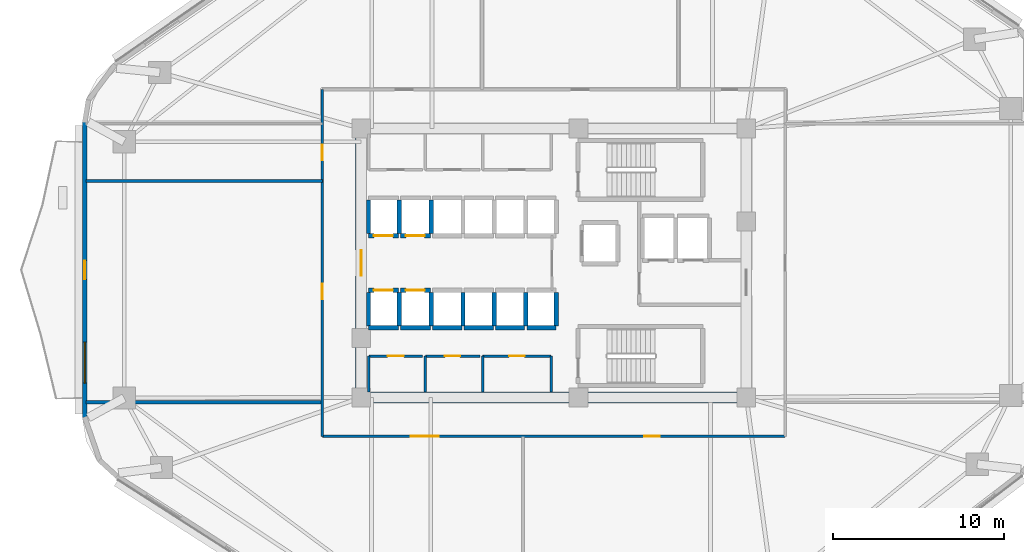
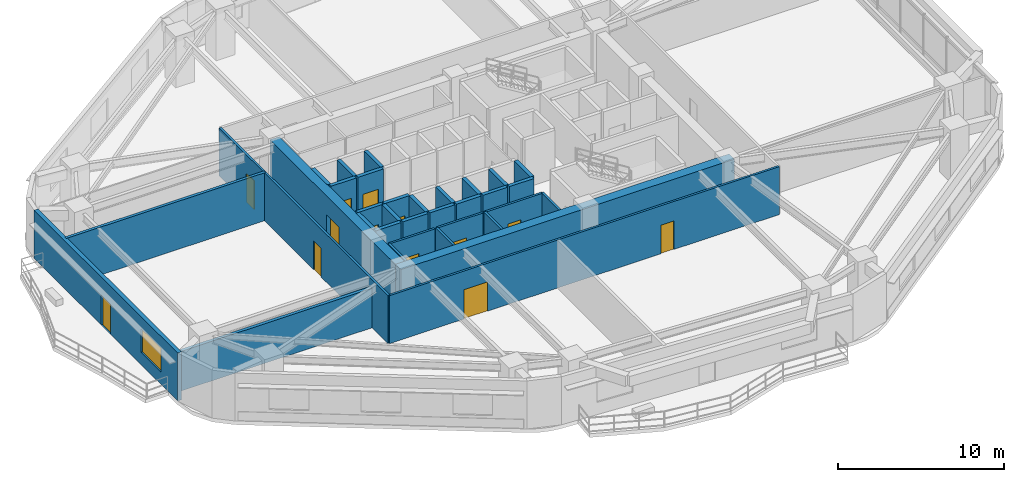
# One storey, part 8 of 14: 34 walls, 13 doors, 1 window, 14 openings.
"""IFC4 building model written with IfcOpenShell, lengths in metres."""

from ifc_helpers import new_model, si_unit, direction, frame, frame_2d, origin, place, context, subcontext, project, spatial, rectangle, extrude, material, layer, layer_set, type_object, element, fill, save


model = new_model("IFC4")

# Units and contexts
model_context = context("Model", 3, precision=1e-05, world=origin(), true_north=direction((0.0, 1.0)))
body_context = subcontext(model_context, "Body", "Model", "MODEL_VIEW")
ifc_project = project(units=[si_unit("LENGTHUNIT", "METRE"), si_unit("AREAUNIT", "SQUARE_METRE"), si_unit("VOLUMEUNIT", "CUBIC_METRE"), si_unit("PLANEANGLEUNIT", "RADIAN"), si_unit("MASSUNIT", "GRAM", prefix="KILO")], contexts=[model_context])

# Site, building, storey
site_placement = place(None, origin())
site = spatial("IfcSite", under=ifc_project, at=site_placement, CompositionType="ELEMENT")
building_placement = place(site_placement, origin())
building = spatial("IfcBuilding", under=site, at=building_placement, Name="Zulverin Broadcast Headquarters", CompositionType="ELEMENT")
storey_placement = place(building_placement, frame((0.0, 0.0, 40.199951171875)))
storey = spatial("IfcBuildingStorey", under=building, at=storey_placement, Name="L09", CompositionType="ELEMENT", Elevation=40.199951171875)

# Walls
ifc_material_1 = material(Name="Acoustic drywall steel stud", Category="steel")
ifc_layer_1 = layer(ifc_material_1, 0.199951171875, Name="Acoustic drywall steel stud", Category="steel")
ifc_layer_set_1 = layer_set([ifc_layer_1], Name="Acoustic drywall steel stud")
wall_type_1 = type_object("IfcWallType", Name="WL-ACOU-200", PredefinedType="PARTITIONING", material=ifc_layer_set_1)
wall_1_placement = place(storey_placement, frame((9.60498046875, 30.0, 0.0), z_axis=(0.0, 0.0, 1.0), x_axis=(1.0, 0.0, 0.0)))
element("IfcWall", 1, at=wall_1_placement, inside=storey, type_object=wall_type_1, Name="L09 Room Partition Wall RP-09", PredefinedType="PARTITIONING", context=body_context, shape_type="SweptSolid", body=[
    extrude(rectangle(XDim=13.844970703125, YDim=0.199951171875, at=frame_2d((6.92236328125, 0.0))), origin(), (0.0, 0.0, 1.0), 3.525146484375),
])
ifc_material_2 = material(Name="Double-stud acoustic drywall", Category="gypsum")
ifc_layer_2 = layer(ifc_material_2, 0.219970703125, Name="Double-stud acoustic drywall", Category="gypsum")
ifc_layer_set_2 = layer_set([ifc_layer_2], Name="Double-stud acoustic drywall")
wall_type_2 = type_object("IfcWallType", Name="WL-ACOU-220", PredefinedType="PARTITIONING", material=ifc_layer_set_2)
wall_2_placement = place(storey_placement, frame((9.60498046875, 17.050048828125, 0.0), z_axis=(0.0, 0.0, 1.0), x_axis=(1.0, 0.0, 0.0)))
element("IfcWall", 2, at=wall_2_placement, inside=storey, type_object=wall_type_2, Name="L09 Room Partition Wall RP-07", PredefinedType="PARTITIONING", context=body_context, shape_type="SweptSolid", body=[
    extrude(rectangle(XDim=13.844970703125, YDim=0.219970703125, at=frame_2d((6.92236328125, 0.0))), origin(), (0.0, 0.0, 1.0), 2.907958984375),
])
ifc_material_3 = material(Name="Concrete C60/75", Category="concrete")
ifc_layer_3 = layer(ifc_material_3, 0.64990234375, Name="Concrete C60/75", Category="concrete")
ifc_layer_set_3 = layer_set([ifc_layer_3], Name="Concrete C60/75")
wall_type_3 = type_object("IfcWallType", Name="WL-CORE-650", PredefinedType="SHEAR", material=ifc_layer_set_3)
wall_3_placement = place(storey_placement, frame((25.39990234375, 17.324951171875, 0.0), z_axis=(0.0, 0.0, 1.0), x_axis=(1.0, 0.0, 0.0)))
element("IfcWall", 3, at=wall_3_placement, inside=storey, type_object=wall_type_3, Name="L09 Core South Shear Wall", PredefinedType="SHEAR", context=body_context, shape_type="SweptSolid", body=[
    extrude(rectangle(XDim=23.2001953125, YDim=0.64990234375, at=frame_2d((11.60009765625, 0.0))), origin(), (0.0, 0.0, 1.0), 3.525146484375),
])

# Wall, opening, door
wall_4_placement = place(storey_placement, frame((25.72509765625, 17.64990234375, 0.0), z_axis=(0.0, 0.0, 1.0), x_axis=(0.0, 1.0, 0.0)))
wall_4 = element("IfcWall", 4, at=wall_4_placement, inside=storey, type_object=wall_type_3, Name="L09 Core West Shear Wall", PredefinedType="SHEAR", context=body_context, shape_type="SweptSolid", body=[
    extrude(rectangle(XDim=15.10009765625, YDim=0.64990234375, at=frame_2d((7.550048828125, 0.0))), origin(), (0.0, 0.0, 1.0), 3.525146484375),
])
opening_1_placement = place(wall_4_placement, frame((6.800048828125, 0.0, 0.0)))
opening_1 = element("IfcOpeningElement", 5, at=opening_1_placement, cuts=wall_4, Name="Opening D-L09-CW1", PredefinedType="OPENING", context=body_context, shape_type="SweptSolid", body=[
    extrude(rectangle(XDim=1.5, YDim=2.14990234375, at=frame_2d((0.75, 1.074951171875))), frame((0.0, 0.3349609375, 0.0), z_axis=(0.0, -1.0, 0.0), x_axis=(1.0, 0.0, 0.0)), (0.0, 0.0, 1.0), 0.669921875),
])
ifc_material_4 = material(Name="Fire-rated glazed steel frame", Category="steel")
door_type_1 = type_object("IfcDoorType", Name="DR-COR-1500", OperationType="DOUBLE_DOOR_SINGLE_SWING", PredefinedType="DOOR", material=ifc_material_4)
door_1_placement = place(opening_1_placement, origin())
door_1 = element("IfcDoor", 6, at=door_1_placement, inside=storey, type_object=door_type_1, Name="L09 Central Lift Lobby West Portal Door", OperationType="DOUBLE_DOOR_SINGLE_SWING", OverallHeight=2.14990234375, OverallWidth=1.5, PredefinedType="DOOR", context=body_context, shape_type="SweptSolid", body=[
    extrude(rectangle(XDim=1.5, YDim=2.14990234375, at=frame_2d((0.75, 1.074951171875))), frame((0.0, 0.02490234375, 0.0), z_axis=(0.0, -1.0, 0.0), x_axis=(1.0, 0.0, 0.0)), (0.0, 0.0, 1.0), 0.050048828125),
])
fill(opening_1, door_1)

# Wall, openings, door, window
ifc_material_5 = material(Name="Insulated pale-metal clad concrete spandrel C40/50", Category="concrete")
ifc_layer_4 = layer(ifc_material_5, 0.280029296875, Name="Insulated pale-metal clad concrete spandrel C40/50", Category="concrete")
ifc_layer_set_4 = layer_set([ifc_layer_4], Name="Insulated pale-metal clad concrete spandrel C40/50")
wall_type_4 = type_object("IfcWallType", Name="WL-EXT-280", PredefinedType="STANDARD", material=ifc_layer_set_4)
wall_5_placement = place(storey_placement, frame((9.5400390625, 33.4443359375, 0.0), z_axis=(0.0, 0.0, 1.0), x_axis=(0.0, -1.0, 0.0)))
wall_5 = element("IfcWall", 7, at=wall_5_placement, inside=storey, type_object=wall_type_4, Name="L09 Pale-Metal Clad Spandrel Wall 7", PredefinedType="STANDARD", context=body_context, shape_type="SweptSolid", body=[
    extrude(rectangle(XDim=17.30078125, YDim=0.280029296875, at=frame_2d((8.650390625, 0.0))), origin(), (0.0, 0.0, 1.0), 3.525146484375),
])
opening_2_placement = place(wall_5_placement, frame((8.100341796875, 0.0, 0.0)))
opening_2 = element("IfcOpeningElement", 8, at=opening_2_placement, cuts=wall_5, Name="Opening D-L09-TR7", PredefinedType="OPENING", context=body_context, shape_type="SweptSolid", body=[
    extrude(rectangle(XDim=1.10009765625, YDim=2.199951171875, at=frame_2d((0.550048828125, 1.10009765625))), frame((0.0, 0.14990234375, 0.0), z_axis=(0.0, -1.0, 0.0), x_axis=(1.0, 0.0, 0.0)), (0.0, 0.0, 1.0), 0.300048828125),
])
opening_3_placement = place(wall_5_placement, frame((12.884033203125, 0.0, 0.89990234375)))
opening_3 = element("IfcOpeningElement", 9, at=opening_3_placement, cuts=wall_5, Name="Opening W-L09-E71", PredefinedType="OPENING", context=body_context, shape_type="SweptSolid", body=[
    extrude(rectangle(XDim=2.39990234375, YDim=1.75, at=frame_2d((1.199951171875, 0.875))), frame((0.0, 0.14990234375, 0.0), z_axis=(0.0, -1.0, 0.0), x_axis=(1.0, 0.0, 0.0)), (0.0, 0.0, 1.0), 0.300048828125),
])
ifc_material_6 = material(Name="Thermally broken aluminium glazed", Category="aluminium")
door_type_2 = type_object("IfcDoorType", Name="DR-TERR-1100", OperationType="SINGLE_SWING_RIGHT", PredefinedType="DOOR", material=ifc_material_6)
door_2_placement = place(opening_2_placement, origin())
door_2 = element("IfcDoor", 10, at=door_2_placement, inside=storey, type_object=door_type_2, Name="L09 Planted Terrace Glazed Access Door 7", OperationType="SINGLE_SWING_RIGHT", OverallHeight=2.199951171875, OverallWidth=1.10009765625, PredefinedType="DOOR", context=body_context, shape_type="SweptSolid", body=[
    extrude(rectangle(XDim=1.10009765625, YDim=2.199951171875, at=frame_2d((0.550048828125, 1.10009765625))), frame((0.0, 0.02490234375, 0.0), z_axis=(0.0, -1.0, 0.0), x_axis=(1.0, 0.0, 0.0)), (0.0, 0.0, 1.0), 0.050048828125),
])
fill(opening_2, door_2)
ifc_material_7 = material(Name="Pale anodized aluminium frame with solar-control low-E double glazing", Category="aluminium")
window_type = type_object("IfcWindowType", Name="WIN-RIB-2400", PartitioningType="SINGLE_PANEL", PredefinedType="WINDOW", material=ifc_material_7)
window_placement = place(opening_3_placement, origin())
window = element("IfcWindow", 11, at=window_placement, inside=storey, type_object=window_type, Name="L09 Ribbon Glazing Window 7 1", OverallHeight=1.75, OverallWidth=2.39990234375, PartitioningType="SINGLE_PANEL", PredefinedType="WINDOW", context=body_context, shape_type="SweptSolid", body=[
    extrude(rectangle(XDim=2.39990234375, YDim=1.75, at=frame_2d((1.199951171875, 0.875))), frame((0.0, 0.030029296875, 0.0), z_axis=(0.0, -1.0, 0.0), x_axis=(1.0, 0.0, 0.0)), (0.0, 0.0, 1.0), 0.06005859375),
])
fill(opening_3, window)

# Wall, opening, door
ifc_material_8 = material(Name="Fire-rated gypsum stud partition", Category="gypsum")
ifc_layer_5 = layer(ifc_material_8, 0.14990234375, Name="Fire-rated gypsum stud partition", Category="gypsum")
ifc_layer_set_5 = layer_set([ifc_layer_5], Name="Fire-rated gypsum stud partition")
wall_type_5 = type_object("IfcWallType", Name="WL-PART-150", PredefinedType="PARTITIONING", material=ifc_layer_set_5)
wall_6_placement = place(storey_placement, frame((26.169921875, 19.75, 0.0), z_axis=(0.0, 0.0, 1.0), x_axis=(1.0, 0.0, 0.0)))
wall_6 = element("IfcWall", 12, at=wall_6_placement, inside=storey, type_object=wall_type_5, Name="L09 Core Female WC Front Wall", PredefinedType="PARTITIONING", context=body_context, shape_type="SweptSolid", body=[
    extrude(rectangle(XDim=3.150146484375, YDim=0.14990234375, at=frame_2d((1.5751953125, 0.0))), origin(), (0.0, 0.0, 1.0), 3.525146484375),
])
opening_4_placement = place(wall_6_placement, frame((1.10009765625, 0.0, 0.0)))
opening_4 = element("IfcOpeningElement", 13, at=opening_4_placement, cuts=wall_6, Name="Opening D-L09-SC1", PredefinedType="OPENING", context=body_context, shape_type="SweptSolid", body=[
    extrude(rectangle(XDim=0.949951171875, YDim=2.10009765625, at=frame_2d((0.47509765625, 1.050048828125))), frame((0.0, 0.0849609375, 0.0), z_axis=(0.0, -1.0, 0.0), x_axis=(1.0, 0.0, 0.0)), (0.0, 0.0, 1.0), 0.169921875),
])
ifc_material_9 = material(Name="Fire-rated moisture-resistant laminate leaf", Category="wood")
door_type_3 = type_object("IfcDoorType", Name="DR-WC-950", OperationType="SINGLE_SWING_LEFT", PredefinedType="DOOR", material=ifc_material_9)
door_3_placement = place(opening_4_placement, origin())
door_3 = element("IfcDoor", 14, at=door_3_placement, inside=storey, type_object=door_type_3, Name="L09 Female WC Door", OperationType="SINGLE_SWING_RIGHT", OverallHeight=2.10009765625, OverallWidth=0.949951171875, PredefinedType="DOOR", context=body_context, shape_type="SweptSolid", body=[
    extrude(rectangle(XDim=0.949951171875, YDim=2.10009765625, at=frame_2d((0.47509765625, 1.050048828125))), frame((0.0, 0.02490234375, 0.0), z_axis=(0.0, -1.0, 0.0), x_axis=(1.0, 0.0, 0.0)), (0.0, 0.0, 1.0), 0.050048828125),
])
fill(opening_4, door_3)

# Wall
wall_7_placement = place(storey_placement, frame((26.169921875, 17.64990234375, 0.0), z_axis=(0.0, 0.0, 1.0), x_axis=(0.0, 1.0, 0.0)))
element("IfcWall", 15, at=wall_7_placement, inside=storey, type_object=wall_type_5, Name="L09 Core Female WC West Wall", PredefinedType="PARTITIONING", context=body_context, shape_type="SweptSolid", body=[
    extrude(rectangle(XDim=2.10009765625, YDim=0.14990234375, at=frame_2d((1.050048828125, 0.0))), origin(), (0.0, 0.0, 1.0), 3.525146484375),
])

# Wall, opening, door
wall_8_placement = place(storey_placement, frame((29.47998046875, 19.75, 0.0), z_axis=(0.0, 0.0, 1.0), x_axis=(1.0, 0.0, 0.0)))
wall_8 = element("IfcWall", 16, at=wall_8_placement, inside=storey, type_object=wall_type_5, Name="L09 Core Cleaner Store Front Wall", PredefinedType="PARTITIONING", context=body_context, shape_type="SweptSolid", body=[
    extrude(rectangle(XDim=3.18994140625, YDim=0.14990234375, at=frame_2d((1.594970703125, 0.0))), origin(), (0.0, 0.0, 1.0), 3.525146484375),
])
opening_5_placement = place(wall_8_placement, frame((1.14501953125, 0.0, 0.0)))
opening_5 = element("IfcOpeningElement", 17, at=opening_5_placement, cuts=wall_8, Name="Opening D-L09-SC2", PredefinedType="OPENING", context=body_context, shape_type="SweptSolid", body=[
    extrude(rectangle(XDim=0.89990234375, YDim=2.10009765625, at=frame_2d((0.449951171875, 1.050048828125))), frame((0.0, 0.0849609375, 0.0), z_axis=(0.0, -1.0, 0.0), x_axis=(1.0, 0.0, 0.0)), (0.0, 0.0, 1.0), 0.169921875),
])
ifc_material_10 = material(Name="Powder-coated steel access leaf", Category="steel")
door_type_4 = type_object("IfcDoorType", Name="DR-RISER-900", OperationType="SINGLE_SWING_LEFT", PredefinedType="DOOR", material=ifc_material_10)
door_4_placement = place(opening_5_placement, origin())
door_4 = element("IfcDoor", 18, at=door_4_placement, inside=storey, type_object=door_type_4, Name="L09 Cleaner Store Door", OperationType="SINGLE_SWING_LEFT", OverallHeight=2.10009765625, OverallWidth=0.89990234375, PredefinedType="DOOR", context=body_context, shape_type="SweptSolid", body=[
    extrude(rectangle(XDim=0.89990234375, YDim=2.10009765625, at=frame_2d((0.449951171875, 1.050048828125))), frame((0.0, 0.02490234375, 0.0), z_axis=(0.0, -1.0, 0.0), x_axis=(1.0, 0.0, 0.0)), (0.0, 0.0, 1.0), 0.050048828125),
])
fill(opening_5, door_4)

# Wall
wall_9_placement = place(storey_placement, frame((29.47998046875, 17.64990234375, 0.0), z_axis=(0.0, 0.0, 1.0), x_axis=(0.0, 1.0, 0.0)))
element("IfcWall", 19, at=wall_9_placement, inside=storey, type_object=wall_type_5, Name="L09 Core Cleaner Store West Wall", PredefinedType="PARTITIONING", context=body_context, shape_type="SweptSolid", body=[
    extrude(rectangle(XDim=2.10009765625, YDim=0.14990234375, at=frame_2d((1.050048828125, 0.0))), origin(), (0.0, 0.0, 1.0), 3.525146484375),
])

# Wall, opening, door
wall_10_placement = place(storey_placement, frame((32.830078125, 19.75, 0.0), z_axis=(0.0, 0.0, 1.0), x_axis=(1.0, 0.0, 0.0)))
wall_10 = element("IfcWall", 20, at=wall_10_placement, inside=storey, type_object=wall_type_5, Name="L09 Core Broadcast Fibre Riser Front Wall", PredefinedType="PARTITIONING", context=body_context, shape_type="SweptSolid", body=[
    extrude(rectangle(XDim=4.02001953125, YDim=0.14990234375, at=frame_2d((2.010009765625, 0.0))), origin(), (0.0, 0.0, 1.0), 3.525146484375),
])
opening_6_placement = place(wall_10_placement, frame((1.56005859375, 0.0, 0.0)))
opening_6 = element("IfcOpeningElement", 21, at=opening_6_placement, cuts=wall_10, Name="Opening D-L09-SC3", PredefinedType="OPENING", context=body_context, shape_type="SweptSolid", body=[
    extrude(rectangle(XDim=0.89990234375, YDim=2.10009765625, at=frame_2d((0.449951171875, 1.050048828125))), frame((0.0, 0.0849609375, 0.0), z_axis=(0.0, -1.0, 0.0), x_axis=(1.0, 0.0, 0.0)), (0.0, 0.0, 1.0), 0.169921875),
])
door_5_placement = place(opening_6_placement, origin())
door_5 = element("IfcDoor", 22, at=door_5_placement, inside=storey, type_object=door_type_4, Name="L09 Broadcast Fibre Riser Door", OperationType="SINGLE_SWING_RIGHT", OverallHeight=2.10009765625, OverallWidth=0.89990234375, PredefinedType="DOOR", context=body_context, shape_type="SweptSolid", body=[
    extrude(rectangle(XDim=0.89990234375, YDim=2.10009765625, at=frame_2d((0.449951171875, 1.050048828125))), frame((0.0, 0.02490234375, 0.0), z_axis=(0.0, -1.0, 0.0), x_axis=(1.0, 0.0, 0.0)), (0.0, 0.0, 1.0), 0.050048828125),
])
fill(opening_6, door_5)

# Walls
for number, where, z_axis, x_axis, name in (
    (23, (32.830078125, 17.64990234375, 0.0), (0.0, 0.0, 1.0), (0.0, 1.0, 0.0), "L09 Core Broadcast Fibre Riser West Wall"),
    (24, (36.85009765625, 17.64990234375, 0.0), (0.0, 0.0, 1.0), (0.0, 1.0, 0.0), "L09 Core Broadcast Fibre Riser East Wall"),
):
    element("IfcWall", number, at=place(storey_placement, frame(where, z_axis=z_axis, x_axis=x_axis)), inside=storey, type_object=wall_type_5, Name=name, PredefinedType="PARTITIONING", context=body_context, shape_type="SweptSolid", body=[
        extrude(rectangle(XDim=2.10009765625, YDim=0.14990234375, at=frame_2d((1.050048828125, 0.0))), origin(), (0.0, 0.0, 1.0), 3.525146484375),
    ])

# Wall, openings, doors
wall_11_placement = place(storey_placement, frame((23.449951171875, 15.050048828125, 0.0), z_axis=(0.0, 0.0, 1.0), x_axis=(0.0, 1.0, 0.0)))
wall_11 = element("IfcWall", 25, at=wall_11_placement, inside=storey, type_object=wall_type_5, Name="L09 Gallery Partition Wall CG-05", PredefinedType="PARTITIONING", context=body_context, shape_type="SweptSolid", body=[
    extrude(rectangle(XDim=20.300048828125, YDim=0.14990234375, at=frame_2d((10.14990234375, 0.0))), origin(), (0.0, 0.0, 1.0), 3.525146484375),
])
opening_7_placement = place(wall_11_placement, frame((8.02490234375, 0.0, 0.0)))
opening_7 = element("IfcOpeningElement", 26, at=opening_7_placement, cuts=wall_11, Name="Opening D-L09-06", PredefinedType="OPENING", context=body_context, shape_type="SweptSolid", body=[
    extrude(rectangle(XDim=0.89990234375, YDim=2.10009765625, at=frame_2d((0.449951171875, 1.050048828125))), frame((0.0, 0.0849609375, 0.0), z_axis=(0.0, -1.0, 0.0), x_axis=(1.0, 0.0, 0.0)), (0.0, 0.0, 1.0), 0.169921875),
])
opening_8_placement = place(wall_11_placement, frame((16.175048828125, 0.0, 0.0)))
opening_8 = element("IfcOpeningElement", 27, at=opening_8_placement, cuts=wall_11, Name="Opening D-L09-07", PredefinedType="OPENING", context=body_context, shape_type="SweptSolid", body=[
    extrude(rectangle(XDim=0.89990234375, YDim=2.10009765625, at=frame_2d((0.449951171875, 1.050048828125))), frame((0.0, 0.0849609375, 0.0), z_axis=(0.0, -1.0, 0.0), x_axis=(1.0, 0.0, 0.0)), (0.0, 0.0, 1.0), 0.169921875),
])
ifc_material_11 = material(Name="Fire-rated hardwood veneer timber leaf", Category="wood")
door_type_5 = type_object("IfcDoorType", Name="DR-ROOM-900", OperationType="SINGLE_SWING_RIGHT", PredefinedType="DOOR", material=ifc_material_11)
door_6_placement = place(opening_7_placement, origin())
door_6 = element("IfcDoor", 28, at=door_6_placement, inside=storey, type_object=door_type_5, Name="L09 Evening Bistro Door", OperationType="SINGLE_SWING_LEFT", OverallHeight=2.10009765625, OverallWidth=0.89990234375, PredefinedType="DOOR", context=body_context, shape_type="SweptSolid", body=[
    extrude(rectangle(XDim=0.89990234375, YDim=2.10009765625, at=frame_2d((0.449951171875, 1.050048828125))), frame((0.0, 0.02490234375, 0.0), z_axis=(0.0, -1.0, 0.0), x_axis=(1.0, 0.0, 0.0)), (0.0, 0.0, 1.0), 0.050048828125),
])
fill(opening_7, door_6)
door_7_placement = place(opening_8_placement, origin())
door_7 = element("IfcDoor", 29, at=door_7_placement, inside=storey, type_object=door_type_5, Name="L09 Catering Pantry Door", OperationType="SINGLE_SWING_RIGHT", OverallHeight=2.10009765625, OverallWidth=0.89990234375, PredefinedType="DOOR", context=body_context, shape_type="SweptSolid", body=[
    extrude(rectangle(XDim=0.89990234375, YDim=2.10009765625, at=frame_2d((0.449951171875, 1.050048828125))), frame((0.0, 0.02490234375, 0.0), z_axis=(0.0, -1.0, 0.0), x_axis=(1.0, 0.0, 0.0)), (0.0, 0.0, 1.0), 0.050048828125),
])
fill(opening_8, door_7)

wall_12_placement = place(storey_placement, frame((23.449951171875, 15.050048828125, 0.0), z_axis=(0.0, 0.0, 1.0), x_axis=(1.0, 0.0, 0.0)))
wall_12 = element("IfcWall", 30, at=wall_12_placement, inside=storey, type_object=wall_type_5, Name="L09 Gallery Partition Wall CG-06", PredefinedType="PARTITIONING", context=body_context, shape_type="SweptSolid", body=[
    extrude(rectangle(XDim=27.10009765625, YDim=0.14990234375, at=frame_2d((13.550048828125, 0.0))), origin(), (0.0, 0.0, 1.0), 3.525146484375),
])
opening_9_placement = place(wall_12_placement, frame((5.169921875, 0.0, 0.0)))
opening_9 = element("IfcOpeningElement", 31, at=opening_9_placement, cuts=wall_12, Name="Opening D-L09-04", PredefinedType="OPENING", context=body_context, shape_type="SweptSolid", body=[
    extrude(rectangle(XDim=1.64990234375, YDim=2.14990234375, at=frame_2d((0.824951171875, 1.074951171875))), frame((0.0, 0.0849609375, 0.0), z_axis=(0.0, -1.0, 0.0), x_axis=(1.0, 0.0, 0.0)), (0.0, 0.0, 1.0), 0.169921875),
])
opening_10_placement = place(wall_12_placement, frame((18.85498046875, 0.0, 0.0)))
opening_10 = element("IfcOpeningElement", 32, at=opening_10_placement, cuts=wall_12, Name="Opening D-L09-05", PredefinedType="OPENING", context=body_context, shape_type="SweptSolid", body=[
    extrude(rectangle(XDim=0.89990234375, YDim=2.10009765625, at=frame_2d((0.449951171875, 1.050048828125))), frame((0.0, 0.0849609375, 0.0), z_axis=(0.0, -1.0, 0.0), x_axis=(1.0, 0.0, 0.0)), (0.0, 0.0, 1.0), 0.169921875),
])
ifc_material_12 = material(Name="Fire-rated acoustic double leaf", Category="steel")
door_type_6 = type_object("IfcDoorType", Name="DR-AUD-1650", OperationType="DOUBLE_DOOR_SINGLE_SWING", PredefinedType="DOOR", material=ifc_material_12)
door_8_placement = place(opening_9_placement, origin())
door_8 = element("IfcDoor", 33, at=door_8_placement, inside=storey, type_object=door_type_6, Name="L09 Staff Dining Hall Door", OperationType="DOUBLE_DOOR_SINGLE_SWING", OverallHeight=2.14990234375, OverallWidth=1.64990234375, PredefinedType="DOOR", context=body_context, shape_type="SweptSolid", body=[
    extrude(rectangle(XDim=1.64990234375, YDim=2.14990234375, at=frame_2d((0.824951171875, 1.074951171875))), frame((0.0, 0.02490234375, 0.0), z_axis=(0.0, -1.0, 0.0), x_axis=(1.0, 0.0, 0.0)), (0.0, 0.0, 1.0), 0.050048828125),
])
fill(opening_9, door_8)
door_9_placement = place(opening_10_placement, origin())
door_9 = element("IfcDoor", 34, at=door_9_placement, inside=storey, type_object=door_type_5, Name="L09 Express Cafe Door", OperationType="SINGLE_SWING_RIGHT", OverallHeight=2.10009765625, OverallWidth=0.89990234375, PredefinedType="DOOR", context=body_context, shape_type="SweptSolid", body=[
    extrude(rectangle(XDim=0.89990234375, YDim=2.10009765625, at=frame_2d((0.449951171875, 1.050048828125))), frame((0.0, 0.02490234375, 0.0), z_axis=(0.0, -1.0, 0.0), x_axis=(1.0, 0.0, 0.0)), (0.0, 0.0, 1.0), 0.050048828125),
])
fill(opening_10, door_9)

# Wall, opening, door
ifc_material_13 = material(Name="Concrete C50/60", Category="concrete")
ifc_layer_6 = layer(ifc_material_13, 0.25, Name="Concrete C50/60", Category="concrete")
ifc_layer_set_6 = layer_set([ifc_layer_6], Name="Concrete C50/60")
wall_type_6 = type_object("IfcWallType", Name="WL-SHAFT-250", PredefinedType="SHEAR", material=ifc_layer_set_6)
wall_13_placement = place(storey_placement, frame((26.14990234375, 26.800048828125, 0.0), z_axis=(0.0, 0.0, 1.0), x_axis=(1.0, 0.0, 0.0)))
wall_13 = element("IfcWall", 35, at=wall_13_placement, inside=storey, type_object=wall_type_6, Name="L09 Lift PL-L1 Shaft Wall S", PredefinedType="SHEAR", context=body_context, shape_type="SweptSolid", body=[
    extrude(rectangle(XDim=1.75, YDim=0.25, at=frame_2d((0.875, 0.0))), origin(), (0.0, 0.0, 1.0), 3.525146484375),
])
opening_11_placement = place(wall_13_placement, frame((0.324951171875, 0.0, 0.0)))
opening_11 = element("IfcOpeningElement", 36, at=opening_11_placement, cuts=wall_13, Name="Opening LD-PL-L1-L09", PredefinedType="OPENING", context=body_context, shape_type="SweptSolid", body=[
    extrude(rectangle(XDim=1.10009765625, YDim=2.14990234375, at=frame_2d((0.550048828125, 1.074951171875))), frame((0.0, 0.135009765625, 0.0), z_axis=(0.0, -1.0, 0.0), x_axis=(1.0, 0.0, 0.0)), (0.0, 0.0, 1.0), 0.27001953125),
])
ifc_material_14 = material(Name="Brushed stainless steel landing", Category="steel")
door_type_7 = type_object("IfcDoorType", Name="LD-PASS-1100", OperationType="DOUBLE_DOOR_SLIDING", PredefinedType="DOOR", material=ifc_material_14)
door_10_placement = place(opening_11_placement, origin())
door_10 = element("IfcDoor", 37, at=door_10_placement, inside=storey, type_object=door_type_7, Name="L09 Lift PL-L1 Sliding Landing Door", OperationType="DOUBLE_DOOR_SLIDING", OverallHeight=2.14990234375, OverallWidth=1.10009765625, PredefinedType="DOOR", context=body_context, shape_type="SweptSolid", body=[
    extrude(rectangle(XDim=1.10009765625, YDim=2.14990234375, at=frame_2d((0.550048828125, 1.074951171875))), frame((0.0, 0.02490234375, 0.0), z_axis=(0.0, -1.0, 0.0), x_axis=(1.0, 0.0, 0.0)), (0.0, 0.0, 1.0), 0.050048828125),
])
fill(opening_11, door_10)

# Walls
for number, where, z_axis, x_axis, name in (
    (38, (26.14990234375, 26.919921875, 0.0), (0.0, 0.0, 1.0), (0.0, 1.0, 0.0), "L09 Lift PL-L1 Shaft Wall W"),
    (39, (27.9599609375, 26.919921875, 0.0), (0.0, 0.0, 1.0), (0.0, 1.0, 0.0), "L09 Lift PL-L1 Shaft Wall E"),
):
    element("IfcWall", number, at=place(storey_placement, frame(where, z_axis=z_axis, x_axis=x_axis)), inside=storey, type_object=wall_type_6, Name=name, PredefinedType="SHEAR", context=body_context, shape_type="SweptSolid", body=[
        extrude(rectangle(XDim=1.9599609375, YDim=0.25, at=frame_2d((0.97998046875, 0.0))), origin(), (0.0, 0.0, 1.0), 3.525146484375),
    ])

# Wall, opening, door
wall_14_placement = place(storey_placement, frame((28.02001953125, 26.800048828125, 0.0), z_axis=(0.0, 0.0, 1.0), x_axis=(1.0, 0.0, 0.0)))
wall_14 = element("IfcWall", 40, at=wall_14_placement, inside=storey, type_object=wall_type_6, Name="L09 Lift PL-L2 Shaft Wall S", PredefinedType="SHEAR", context=body_context, shape_type="SweptSolid", body=[
    extrude(rectangle(XDim=1.75, YDim=0.25, at=frame_2d((0.875, 0.0))), origin(), (0.0, 0.0, 1.0), 3.525146484375),
])
opening_12_placement = place(wall_14_placement, frame((0.324951171875, 0.0, 0.0)))
opening_12 = element("IfcOpeningElement", 41, at=opening_12_placement, cuts=wall_14, Name="Opening LD-PL-L2-L09", PredefinedType="OPENING", context=body_context, shape_type="SweptSolid", body=[
    extrude(rectangle(XDim=1.10009765625, YDim=2.14990234375, at=frame_2d((0.550048828125, 1.074951171875))), frame((0.0, 0.135009765625, 0.0), z_axis=(0.0, -1.0, 0.0), x_axis=(1.0, 0.0, 0.0)), (0.0, 0.0, 1.0), 0.27001953125),
])
door_11_placement = place(opening_12_placement, origin())
door_11 = element("IfcDoor", 42, at=door_11_placement, inside=storey, type_object=door_type_7, Name="L09 Lift PL-L2 Sliding Landing Door", OperationType="DOUBLE_DOOR_SLIDING", OverallHeight=2.14990234375, OverallWidth=1.10009765625, PredefinedType="DOOR", context=body_context, shape_type="SweptSolid", body=[
    extrude(rectangle(XDim=1.10009765625, YDim=2.14990234375, at=frame_2d((0.550048828125, 1.074951171875))), frame((0.0, 0.02490234375, 0.0), z_axis=(0.0, -1.0, 0.0), x_axis=(1.0, 0.0, 0.0)), (0.0, 0.0, 1.0), 0.050048828125),
])
fill(opening_12, door_11)

# Walls
wall_15_placement = place(storey_placement, frame((29.8349609375, 26.919921875, 0.0), z_axis=(0.0, 0.0, 1.0), x_axis=(0.0, 1.0, 0.0)))
element("IfcWall", 43, at=wall_15_placement, inside=storey, type_object=wall_type_6, Name="L09 Lift PL-L2 Shaft Wall E", PredefinedType="SHEAR", context=body_context, shape_type="SweptSolid", body=[
    extrude(rectangle(XDim=1.9599609375, YDim=0.25, at=frame_2d((0.97998046875, 0.0))), origin(), (0.0, 0.0, 1.0), 3.525146484375),
])
wall_16_placement = place(storey_placement, frame((26.14990234375, 21.39990234375, 0.0), z_axis=(0.0, 0.0, 1.0), x_axis=(1.0, 0.0, 0.0)))
element("IfcWall", 44, at=wall_16_placement, inside=storey, type_object=wall_type_6, Name="L09 Lift PL-L3 Shaft Wall S", PredefinedType="SHEAR", context=body_context, shape_type="SweptSolid", body=[
    extrude(rectangle(XDim=1.75, YDim=0.25, at=frame_2d((0.875, 0.0))), origin(), (0.0, 0.0, 1.0), 3.525146484375),
])

# Wall, opening, door
wall_17_placement = place(storey_placement, frame((26.14990234375, 23.60009765625, 0.0), z_axis=(0.0, 0.0, 1.0), x_axis=(1.0, 0.0, 0.0)))
wall_17 = element("IfcWall", 45, at=wall_17_placement, inside=storey, type_object=wall_type_6, Name="L09 Lift PL-L3 Shaft Wall N", PredefinedType="SHEAR", context=body_context, shape_type="SweptSolid", body=[
    extrude(rectangle(XDim=1.75, YDim=0.25, at=frame_2d((0.875, 0.0))), origin(), (0.0, 0.0, 1.0), 3.525146484375),
])
opening_13_placement = place(wall_17_placement, frame((0.324951171875, 0.0, 0.0)))
opening_13 = element("IfcOpeningElement", 46, at=opening_13_placement, cuts=wall_17, Name="Opening LD-PL-L3-L09", PredefinedType="OPENING", context=body_context, shape_type="SweptSolid", body=[
    extrude(rectangle(XDim=1.10009765625, YDim=2.14990234375, at=frame_2d((0.550048828125, 1.074951171875))), frame((0.0, 0.135009765625, 0.0), z_axis=(0.0, -1.0, 0.0), x_axis=(1.0, 0.0, 0.0)), (0.0, 0.0, 1.0), 0.27001953125),
])
door_12_placement = place(opening_13_placement, origin())
door_12 = element("IfcDoor", 47, at=door_12_placement, inside=storey, type_object=door_type_7, Name="L09 Lift PL-L3 Sliding Landing Door", OperationType="DOUBLE_DOOR_SLIDING", OverallHeight=2.14990234375, OverallWidth=1.10009765625, PredefinedType="DOOR", context=body_context, shape_type="SweptSolid", body=[
    extrude(rectangle(XDim=1.10009765625, YDim=2.14990234375, at=frame_2d((0.550048828125, 1.074951171875))), frame((0.0, 0.02490234375, 0.0), z_axis=(0.0, -1.0, 0.0), x_axis=(1.0, 0.0, 0.0)), (0.0, 0.0, 1.0), 0.050048828125),
])
fill(opening_13, door_12)

# Walls
for number, where, z_axis, x_axis, name in (
    (48, (26.14990234375, 21.52001953125, 0.0), (0.0, 0.0, 1.0), (0.0, 1.0, 0.0), "L09 Lift PL-L3 Shaft Wall W"),
    (49, (27.9599609375, 21.52001953125, 0.0), (0.0, 0.0, 1.0), (0.0, 1.0, 0.0), "L09 Lift PL-L3 Shaft Wall E"),
):
    element("IfcWall", number, at=place(storey_placement, frame(where, z_axis=z_axis, x_axis=x_axis)), inside=storey, type_object=wall_type_6, Name=name, PredefinedType="SHEAR", context=body_context, shape_type="SweptSolid", body=[
        extrude(rectangle(XDim=1.9599609375, YDim=0.25, at=frame_2d((0.97998046875, 0.0))), origin(), (0.0, 0.0, 1.0), 3.525146484375),
    ])
wall_18_placement = place(storey_placement, frame((28.02001953125, 21.39990234375, 0.0), z_axis=(0.0, 0.0, 1.0), x_axis=(1.0, 0.0, 0.0)))
element("IfcWall", 50, at=wall_18_placement, inside=storey, type_object=wall_type_6, Name="L09 Lift PL-L4 Shaft Wall S", PredefinedType="SHEAR", context=body_context, shape_type="SweptSolid", body=[
    extrude(rectangle(XDim=1.75, YDim=0.25, at=frame_2d((0.875, 0.0))), origin(), (0.0, 0.0, 1.0), 3.525146484375),
])

# Wall, opening, door
wall_19_placement = place(storey_placement, frame((28.02001953125, 23.60009765625, 0.0), z_axis=(0.0, 0.0, 1.0), x_axis=(1.0, 0.0, 0.0)))
wall_19 = element("IfcWall", 51, at=wall_19_placement, inside=storey, type_object=wall_type_6, Name="L09 Lift PL-L4 Shaft Wall N", PredefinedType="SHEAR", context=body_context, shape_type="SweptSolid", body=[
    extrude(rectangle(XDim=1.75, YDim=0.25, at=frame_2d((0.875, 0.0))), origin(), (0.0, 0.0, 1.0), 3.525146484375),
])
opening_14_placement = place(wall_19_placement, frame((0.324951171875, 0.0, 0.0)))
opening_14 = element("IfcOpeningElement", 52, at=opening_14_placement, cuts=wall_19, Name="Opening LD-PL-L4-L09", PredefinedType="OPENING", context=body_context, shape_type="SweptSolid", body=[
    extrude(rectangle(XDim=1.10009765625, YDim=2.14990234375, at=frame_2d((0.550048828125, 1.074951171875))), frame((0.0, 0.135009765625, 0.0), z_axis=(0.0, -1.0, 0.0), x_axis=(1.0, 0.0, 0.0)), (0.0, 0.0, 1.0), 0.27001953125),
])
door_13_placement = place(opening_14_placement, origin())
door_13 = element("IfcDoor", 53, at=door_13_placement, inside=storey, type_object=door_type_7, Name="L09 Lift PL-L4 Sliding Landing Door", OperationType="DOUBLE_DOOR_SLIDING", OverallHeight=2.14990234375, OverallWidth=1.10009765625, PredefinedType="DOOR", context=body_context, shape_type="SweptSolid", body=[
    extrude(rectangle(XDim=1.10009765625, YDim=2.14990234375, at=frame_2d((0.550048828125, 1.074951171875))), frame((0.0, 0.02490234375, 0.0), z_axis=(0.0, -1.0, 0.0), x_axis=(1.0, 0.0, 0.0)), (0.0, 0.0, 1.0), 0.050048828125),
])
fill(opening_14, door_13)

# Walls
wall_20_placement = place(storey_placement, frame((29.8349609375, 21.52001953125, 0.0), z_axis=(0.0, 0.0, 1.0), x_axis=(0.0, 1.0, 0.0)))
element("IfcWall", 54, at=wall_20_placement, inside=storey, type_object=wall_type_6, Name="L09 Lift PL-L4 Shaft Wall E", PredefinedType="SHEAR", context=body_context, shape_type="SweptSolid", body=[
    extrude(rectangle(XDim=1.9599609375, YDim=0.25, at=frame_2d((0.97998046875, 0.0))), origin(), (0.0, 0.0, 1.0), 3.525146484375),
])
wall_21_placement = place(storey_placement, frame((29.89990234375, 21.39990234375, 0.0), z_axis=(0.0, 0.0, 1.0), x_axis=(1.0, 0.0, 0.0)))
element("IfcWall", 55, at=wall_21_placement, inside=storey, type_object=wall_type_6, Name="L09 Lift PL-M1 Shaft Wall S", PredefinedType="SHEAR", context=body_context, shape_type="SweptSolid", body=[
    extrude(rectangle(XDim=1.72021484375, YDim=0.25, at=frame_2d((0.860107421875, 0.0))), origin(), (0.0, 0.0, 1.0), 3.525146484375),
])
wall_22_placement = place(storey_placement, frame((31.679931640625, 21.52001953125, 0.0), z_axis=(0.0, 0.0, 1.0), x_axis=(0.0, 1.0, 0.0)))
element("IfcWall", 56, at=wall_22_placement, inside=storey, type_object=wall_type_6, Name="L09 Lift PL-M1 Shaft Wall E", PredefinedType="SHEAR", context=body_context, shape_type="SweptSolid", body=[
    extrude(rectangle(XDim=1.9599609375, YDim=0.25, at=frame_2d((0.97998046875, 0.0))), origin(), (0.0, 0.0, 1.0), 3.525146484375),
])
wall_23_placement = place(storey_placement, frame((31.739990234375, 21.39990234375, 0.0), z_axis=(0.0, 0.0, 1.0), x_axis=(1.0, 0.0, 0.0)))
element("IfcWall", 57, at=wall_23_placement, inside=storey, type_object=wall_type_6, Name="L09 Lift PL-M2 Shaft Wall S", PredefinedType="SHEAR", context=body_context, shape_type="SweptSolid", body=[
    extrude(rectangle(XDim=1.719970703125, YDim=0.25, at=frame_2d((0.85986328125, 0.0))), origin(), (0.0, 0.0, 1.0), 3.525146484375),
])
wall_24_placement = place(storey_placement, frame((33.52001953125, 21.52001953125, 0.0), z_axis=(0.0, 0.0, 1.0), x_axis=(0.0, 1.0, 0.0)))
element("IfcWall", 58, at=wall_24_placement, inside=storey, type_object=wall_type_6, Name="L09 Lift PL-M2 Shaft Wall E", PredefinedType="SHEAR", context=body_context, shape_type="SweptSolid", body=[
    extrude(rectangle(XDim=1.9599609375, YDim=0.25, at=frame_2d((0.97998046875, 0.0))), origin(), (0.0, 0.0, 1.0), 3.525146484375),
])
wall_25_placement = place(storey_placement, frame((33.580078125, 21.39990234375, 0.0), z_axis=(0.0, 0.0, 1.0), x_axis=(1.0, 0.0, 0.0)))
element("IfcWall", 59, at=wall_25_placement, inside=storey, type_object=wall_type_6, Name="L09 Lift PL-M3 Shaft Wall S", PredefinedType="SHEAR", context=body_context, shape_type="SweptSolid", body=[
    extrude(rectangle(XDim=1.719970703125, YDim=0.25, at=frame_2d((0.85986328125, 0.0))), origin(), (0.0, 0.0, 1.0), 3.525146484375),
])
wall_26_placement = place(storey_placement, frame((35.360107421875, 21.52001953125, 0.0), z_axis=(0.0, 0.0, 1.0), x_axis=(0.0, 1.0, 0.0)))
element("IfcWall", 60, at=wall_26_placement, inside=storey, type_object=wall_type_6, Name="L09 Lift PL-M3 Shaft Wall E", PredefinedType="SHEAR", context=body_context, shape_type="SweptSolid", body=[
    extrude(rectangle(XDim=1.9599609375, YDim=0.25, at=frame_2d((0.97998046875, 0.0))), origin(), (0.0, 0.0, 1.0), 3.525146484375),
])
wall_27_placement = place(storey_placement, frame((35.419921875, 21.39990234375, 0.0), z_axis=(0.0, 0.0, 1.0), x_axis=(1.0, 0.0, 0.0)))
element("IfcWall", 61, at=wall_27_placement, inside=storey, type_object=wall_type_6, Name="L09 Lift PL-M4 Shaft Wall S", PredefinedType="SHEAR", context=body_context, shape_type="SweptSolid", body=[
    extrude(rectangle(XDim=1.719970703125, YDim=0.25, at=frame_2d((0.85986328125, 0.0))), origin(), (0.0, 0.0, 1.0), 3.525146484375),
])
wall_28_placement = place(storey_placement, frame((37.139892578125, 21.52001953125, 0.0), z_axis=(0.0, 0.0, 1.0), x_axis=(0.0, 1.0, 0.0)))
element("IfcWall", 62, at=wall_28_placement, inside=storey, type_object=wall_type_6, Name="L09 Lift PL-M4 Shaft Wall E", PredefinedType="SHEAR", context=body_context, shape_type="SweptSolid", body=[
    extrude(rectangle(XDim=1.9599609375, YDim=0.25, at=frame_2d((0.97998046875, 0.0))), origin(), (0.0, 0.0, 1.0), 3.525146484375),
])

save(model, "model.ifc")
